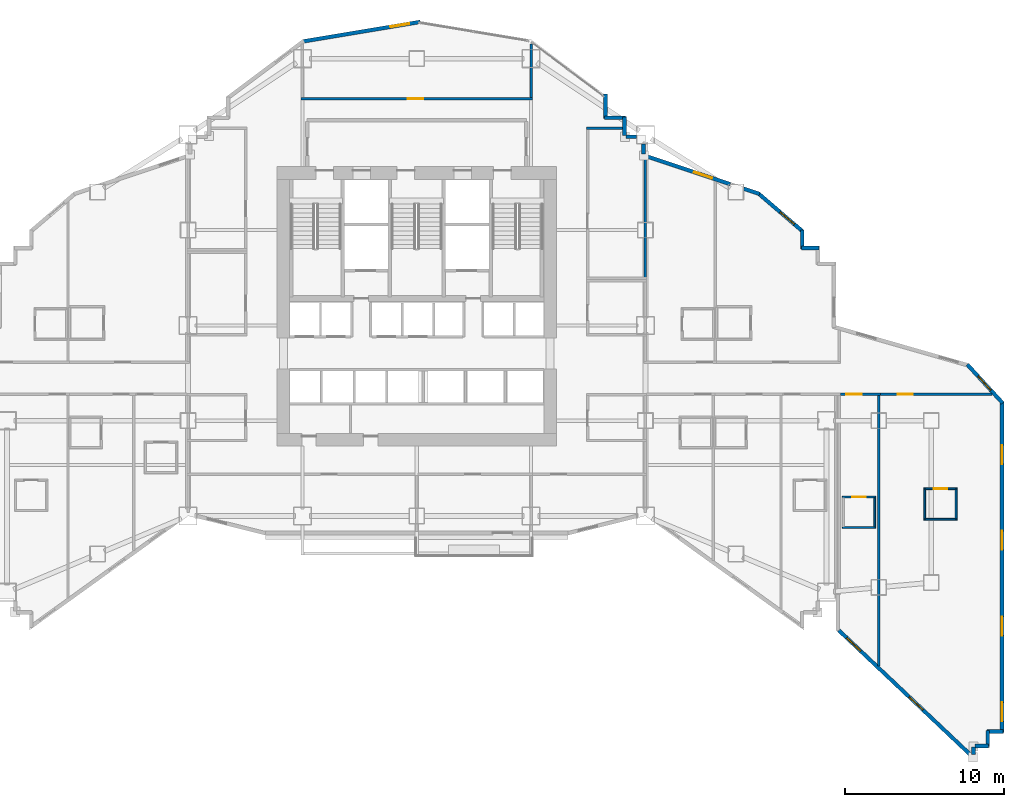
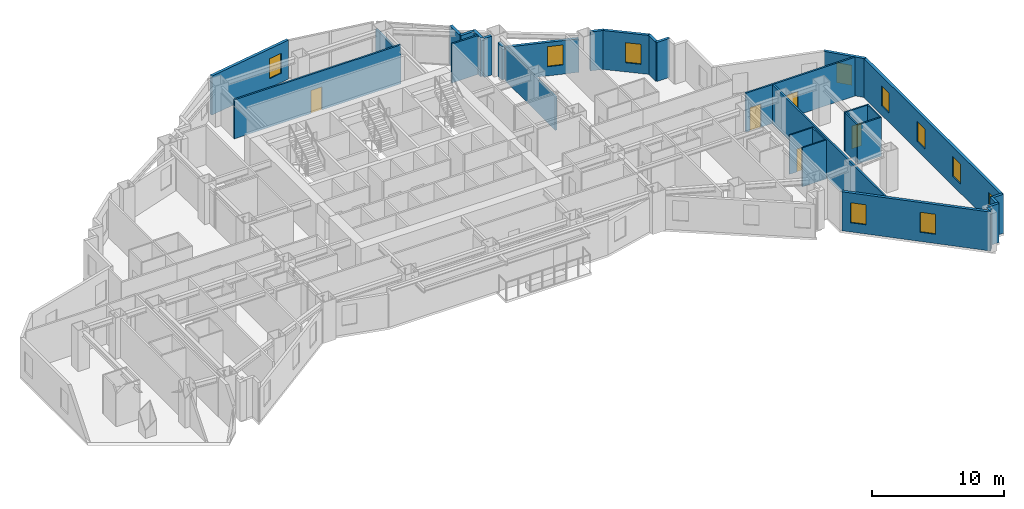
# One storey, part 11 of 17: 32 walls, 10 windows, 5 doors, 15 openings.
"""IFC4 building model written with IfcOpenShell, lengths in metres."""

from ifc_helpers import new_model, si_unit, direction, frame, frame_2d, origin, place, context, subcontext, project, spatial, rectangle, extrude, material, layer, layer_set, type_object, element, fill, save


model = new_model("IFC4")

# Units and contexts
model_context = context("Model", 3, precision=1e-05, world=origin(), true_north=direction((0.0, 1.0)))
body_context = subcontext(model_context, "Body", "Model", "MODEL_VIEW")
ifc_project = project(units=[si_unit("LENGTHUNIT", "METRE"), si_unit("AREAUNIT", "SQUARE_METRE"), si_unit("VOLUMEUNIT", "CUBIC_METRE"), si_unit("PLANEANGLEUNIT", "RADIAN"), si_unit("MASSUNIT", "GRAM", prefix="KILO")], contexts=[model_context])

# Site, building, storey
site_placement = place(None, origin())
site = spatial("IfcSite", under=ifc_project, at=site_placement, CompositionType="ELEMENT")
building_placement = place(site_placement, origin())
building = spatial("IfcBuilding", under=site, at=building_placement, Name="Haolan Belvedere Tower", CompositionType="ELEMENT")
storey_placement = place(building_placement, frame((0.0, 0.0, 59.0)))
storey = spatial("IfcBuildingStorey", under=building, at=storey_placement, Name="L14", CompositionType="ELEMENT", Elevation=59.0)

# Wall, openings, windows
ifc_material_1 = material(Name="Precast concrete C40/50", Category="concrete")
ifc_layer_1 = layer(ifc_material_1, 0.239990234375, Name="Precast concrete C40/50")
ifc_layer_set_1 = layer_set([ifc_layer_1], Name="Precast concrete C40/50")
wall_type_1 = type_object("IfcWallType", Name="WL-EXT-240", PredefinedType="SOLIDWALL", material=ifc_layer_set_1)
wall_1_placement = place(storey_placement, frame((64.97802734375, 14.396728515625, 0.0), z_axis=(0.0, 0.0, 1.0), x_axis=(0.726654877609, -0.687002684745, 0.0)))
wall_1 = element("IfcWall", 1, at=wall_1_placement, inside=storey, type_object=wall_type_1, Name="L14 pale-metal exterior spandrel wall 21.1", PredefinedType="SOLIDWALL", context=body_context, shape_type="SweptSolid", body=[
    extrude(rectangle(XDim=11.587646484375, YDim=0.239990234375, at=frame_2d((5.7939453125, 0.0))), origin(), (0.0, 0.0, 1.0), 3.60009765625),
])
opening_1_placement = place(wall_1_placement, frame((0.699951171875, 0.0, 0.85009765625)))
opening_1 = element("IfcOpeningElement", 2, at=opening_1_placement, cuts=wall_1, Name="Opening W-01", PredefinedType="OPENING", context=body_context, shape_type="SweptSolid", body=[
    extrude(rectangle(XDim=1.199951171875, YDim=1.85009765625, at=frame_2d((0.60009765625, 0.925048828125))), frame((0.0, 0.1298828125, 0.0), z_axis=(0.0, -1.0, 0.0), x_axis=(1.0, 0.0, 0.0)), (0.0, 0.0, 1.0), 0.260009765625),
])
opening_2_placement = place(wall_1_placement, frame((6.10009765625, 0.0, 0.85009765625)))
opening_2 = element("IfcOpeningElement", 3, at=opening_2_placement, cuts=wall_1, Name="Opening W-01", PredefinedType="OPENING", context=body_context, shape_type="SweptSolid", body=[
    extrude(rectangle(XDim=1.199951171875, YDim=1.85009765625, at=frame_2d((0.60009765625, 0.925048828125))), frame((0.0, 0.1298828125, 0.0), z_axis=(0.0, -1.0, 0.0), x_axis=(1.0, 0.0, 0.0)), (0.0, 0.0, 1.0), 0.260009765625),
])
ifc_material_2 = material(Name="Anodised aluminium 6063-T6 and Low-E glass", Category="aluminium")
window_type = type_object("IfcWindowType", Name="WN-DECO-Z1", PartitioningType="SINGLE_PANEL", PredefinedType="WINDOW", material=ifc_material_2)
window_1_placement = place(opening_1_placement, origin())
window_1 = element("IfcWindow", 4, at=window_1_placement, inside=storey, type_object=window_type, Name="L14 Art Deco chevron window 1", OverallHeight=1.85009765625, OverallWidth=1.199951171875, PartitioningType="SINGLE_PANEL", PredefinedType="WINDOW", context=body_context, shape_type="SweptSolid", body=[
    extrude(rectangle(XDim=1.199951171875, YDim=1.85009765625, at=frame_2d((0.60009765625, 0.925048828125))), frame((0.0, 0.030029296875, 0.0), z_axis=(0.0, -1.0, 0.0), x_axis=(1.0, 0.0, 0.0)), (0.0, 0.0, 1.0), 0.06005859375),
])
fill(opening_1, window_1)
window_2_placement = place(opening_2_placement, origin())
window_2 = element("IfcWindow", 5, at=window_2_placement, inside=storey, type_object=window_type, Name="L14 Art Deco chevron window 2", OverallHeight=1.85009765625, OverallWidth=1.199951171875, PartitioningType="SINGLE_PANEL", PredefinedType="WINDOW", context=body_context, shape_type="SweptSolid", body=[
    extrude(rectangle(XDim=1.199951171875, YDim=1.85009765625, at=frame_2d((0.60009765625, 0.925048828125))), frame((0.0, 0.030029296875, 0.0), z_axis=(0.0, -1.0, 0.0), x_axis=(1.0, 0.0, 0.0)), (0.0, 0.0, 1.0), 0.06005859375),
])
fill(opening_2, window_2)

# Walls
wall_2_placement = place(storey_placement, frame((73.4599609375, 6.58251953125, 0.0), z_axis=(0.0, 0.0, 1.0), x_axis=(0.0, 1.0, 0.0)))
element("IfcWall", 6, at=wall_2_placement, inside=storey, type_object=wall_type_1, Name="L14 pale-metal exterior spandrel wall 22.1", PredefinedType="SOLIDWALL", context=body_context, shape_type="SweptSolid", body=[
    extrude(rectangle(XDim=0.451416015625, YDim=0.239990234375, at=frame_2d((0.2255859375, 0.0))), origin(), (0.0, 0.0, 1.0), 3.60009765625),
])
wall_3_placement = place(storey_placement, frame((73.544921875, 7.118896484375, 0.0), z_axis=(0.0, 0.0, 1.0), x_axis=(1.0, 0.0, 0.0)))
element("IfcWall", 7, at=wall_3_placement, inside=storey, type_object=wall_type_1, Name="L14 pale-metal exterior spandrel wall 23.1", PredefinedType="SOLIDWALL", context=body_context, shape_type="SweptSolid", body=[
    extrude(rectangle(XDim=0.8701171875, YDim=0.239990234375, at=frame_2d((0.43505859375, 0.0))), origin(), (0.0, 0.0, 1.0), 3.60009765625),
])
for number, where, z_axis, x_axis, name in (
    (8, (74.360107421875, 7.06396484375, 0.0), (0.0, 0.0, 1.0), (0.0, 1.0, 0.0), "L14 pale-metal exterior spandrel wall 24.1"),
    (9, (74.304931640625, 8.01904296875, 0.0), (0.0, 0.0, 1.0), (1.0, 0.0, 0.0), "L14 pale-metal exterior spandrel wall 25.1"),
):
    element("IfcWall", number, at=place(storey_placement, frame(where, z_axis=z_axis, x_axis=x_axis)), inside=storey, type_object=wall_type_1, Name=name, PredefinedType="SOLIDWALL", context=body_context, shape_type="SweptSolid", body=[
        extrude(rectangle(XDim=1.010009765625, YDim=0.239990234375, at=frame_2d((0.5048828125, 0.0))), origin(), (0.0, 0.0, 1.0), 3.60009765625),
    ])

# Wall, openings, windows
wall_4_placement = place(storey_placement, frame((75.260009765625, 7.964111328125, 0.0), z_axis=(0.0, 0.0, 1.0), x_axis=(0.0, 1.0, 0.0)))
wall_4 = element("IfcWall", 10, at=wall_4_placement, inside=storey, type_object=wall_type_1, Name="L14 pale-metal exterior spandrel wall 26.1", PredefinedType="SOLIDWALL", context=body_context, shape_type="SweptSolid", body=[
    extrude(rectangle(XDim=20.84423828125, YDim=0.239990234375, at=frame_2d((10.422119140625, 0.0))), origin(), (0.0, 0.0, 1.0), 3.60009765625),
])
opening_3_placement = place(wall_4_placement, frame((0.699951171875, 0.0, 0.85009765625)))
opening_3 = element("IfcOpeningElement", 11, at=opening_3_placement, cuts=wall_4, Name="Opening W-01", PredefinedType="OPENING", context=body_context, shape_type="SweptSolid", body=[
    extrude(rectangle(XDim=1.199951171875, YDim=1.85009765625, at=frame_2d((0.60009765625, 0.925048828125))), frame((0.0, 0.1298828125, 0.0), z_axis=(0.0, -1.0, 0.0), x_axis=(1.0, 0.0, 0.0)), (0.0, 0.0, 1.0), 0.260009765625),
])
opening_4_placement = place(wall_4_placement, frame((6.10009765625, 0.0, 0.85009765625)))
opening_4 = element("IfcOpeningElement", 12, at=opening_4_placement, cuts=wall_4, Name="Opening W-01", PredefinedType="OPENING", context=body_context, shape_type="SweptSolid", body=[
    extrude(rectangle(XDim=1.199951171875, YDim=1.85009765625, at=frame_2d((0.60009765625, 0.925048828125))), frame((0.0, 0.1298828125, 0.0), z_axis=(0.0, -1.0, 0.0), x_axis=(1.0, 0.0, 0.0)), (0.0, 0.0, 1.0), 0.260009765625),
])
opening_5_placement = place(wall_4_placement, frame((11.5, 0.0, 0.85009765625)))
opening_5 = element("IfcOpeningElement", 13, at=opening_5_placement, cuts=wall_4, Name="Opening W-01", PredefinedType="OPENING", context=body_context, shape_type="SweptSolid", body=[
    extrude(rectangle(XDim=1.199951171875, YDim=1.85009765625, at=frame_2d((0.60009765625, 0.925048828125))), frame((0.0, 0.1298828125, 0.0), z_axis=(0.0, -1.0, 0.0), x_axis=(1.0, 0.0, 0.0)), (0.0, 0.0, 1.0), 0.260009765625),
])
opening_6_placement = place(wall_4_placement, frame((16.89990234375, 0.0, 0.85009765625)))
opening_6 = element("IfcOpeningElement", 14, at=opening_6_placement, cuts=wall_4, Name="Opening W-01", PredefinedType="OPENING", context=body_context, shape_type="SweptSolid", body=[
    extrude(rectangle(XDim=1.199951171875, YDim=1.85009765625, at=frame_2d((0.60009765625, 0.925048828125))), frame((0.0, 0.1298828125, 0.0), z_axis=(0.0, -1.0, 0.0), x_axis=(1.0, 0.0, 0.0)), (0.0, 0.0, 1.0), 0.260009765625),
])
window_3_placement = place(opening_3_placement, origin())
window_3 = element("IfcWindow", 15, at=window_3_placement, inside=storey, type_object=window_type, Name="L14 Art Deco chevron window 1", OverallHeight=1.85009765625, OverallWidth=1.199951171875, PartitioningType="SINGLE_PANEL", PredefinedType="WINDOW", context=body_context, shape_type="SweptSolid", body=[
    extrude(rectangle(XDim=1.199951171875, YDim=1.85009765625, at=frame_2d((0.60009765625, 0.925048828125))), frame((0.0, 0.030029296875, 0.0), z_axis=(0.0, -1.0, 0.0), x_axis=(1.0, 0.0, 0.0)), (0.0, 0.0, 1.0), 0.06005859375),
])
fill(opening_3, window_3)
window_4_placement = place(opening_4_placement, origin())
window_4 = element("IfcWindow", 16, at=window_4_placement, inside=storey, type_object=window_type, Name="L14 Art Deco chevron window 2", OverallHeight=1.85009765625, OverallWidth=1.199951171875, PartitioningType="SINGLE_PANEL", PredefinedType="WINDOW", context=body_context, shape_type="SweptSolid", body=[
    extrude(rectangle(XDim=1.199951171875, YDim=1.85009765625, at=frame_2d((0.60009765625, 0.925048828125))), frame((0.0, 0.030029296875, 0.0), z_axis=(0.0, -1.0, 0.0), x_axis=(1.0, 0.0, 0.0)), (0.0, 0.0, 1.0), 0.06005859375),
])
fill(opening_4, window_4)
window_5_placement = place(opening_5_placement, origin())
window_5 = element("IfcWindow", 17, at=window_5_placement, inside=storey, type_object=window_type, Name="L14 Art Deco chevron window 3", OverallHeight=1.85009765625, OverallWidth=1.199951171875, PartitioningType="SINGLE_PANEL", PredefinedType="WINDOW", context=body_context, shape_type="SweptSolid", body=[
    extrude(rectangle(XDim=1.199951171875, YDim=1.85009765625, at=frame_2d((0.60009765625, 0.925048828125))), frame((0.0, 0.030029296875, 0.0), z_axis=(0.0, -1.0, 0.0), x_axis=(1.0, 0.0, 0.0)), (0.0, 0.0, 1.0), 0.06005859375),
])
fill(opening_5, window_5)
window_6_placement = place(opening_6_placement, origin())
window_6 = element("IfcWindow", 18, at=window_6_placement, inside=storey, type_object=window_type, Name="L14 Art Deco chevron window 4", OverallHeight=1.85009765625, OverallWidth=1.199951171875, PartitioningType="SINGLE_PANEL", PredefinedType="WINDOW", context=body_context, shape_type="SweptSolid", body=[
    extrude(rectangle(XDim=1.199951171875, YDim=1.85009765625, at=frame_2d((0.60009765625, 0.925048828125))), frame((0.0, 0.030029296875, 0.0), z_axis=(0.0, -1.0, 0.0), x_axis=(1.0, 0.0, 0.0)), (0.0, 0.0, 1.0), 0.06005859375),
])
fill(opening_6, window_6)

# Wall, opening, window
wall_5_placement = place(storey_placement, frame((75.297119140625, 28.712890625, 0.0), z_axis=(0.0, 0.0, 1.0), x_axis=(-0.675748184691, 0.737132546349, 0.0)))
wall_5 = element("IfcWall", 19, at=wall_5_placement, inside=storey, type_object=wall_type_1, Name="L14 pale-metal exterior spandrel wall 27.1", PredefinedType="SOLIDWALL", context=body_context, shape_type="SweptSolid", body=[
    extrude(rectangle(XDim=3.28515625, YDim=0.239990234375, at=frame_2d((1.642578125, 0.0))), origin(), (0.0, 0.0, 1.0), 3.60009765625),
])
opening_7_placement = place(wall_5_placement, frame((1.087158203125, 0.0, 0.85009765625)))
opening_7 = element("IfcOpeningElement", 20, at=opening_7_placement, cuts=wall_5, Name="Opening W-01", PredefinedType="OPENING", context=body_context, shape_type="SweptSolid", body=[
    extrude(rectangle(XDim=1.199951171875, YDim=1.85009765625, at=frame_2d((0.60009765625, 0.925048828125))), frame((0.0, 0.1298828125, 0.0), z_axis=(0.0, -1.0, 0.0), x_axis=(1.0, 0.0, 0.0)), (0.0, 0.0, 1.0), 0.260009765625),
])
window_7_placement = place(opening_7_placement, origin())
window_7 = element("IfcWindow", 21, at=window_7_placement, inside=storey, type_object=window_type, Name="L14 Art Deco chevron window 1", OverallHeight=1.85009765625, OverallWidth=1.199951171875, PartitioningType="SINGLE_PANEL", PredefinedType="WINDOW", context=body_context, shape_type="SweptSolid", body=[
    extrude(rectangle(XDim=1.199951171875, YDim=1.85009765625, at=frame_2d((0.60009765625, 0.925048828125))), frame((0.0, 0.030029296875, 0.0), z_axis=(0.0, -1.0, 0.0), x_axis=(1.0, 0.0, 0.0)), (0.0, 0.0, 1.0), 0.06005859375),
])
fill(opening_7, window_7)

# Walls
wall_6_placement = place(storey_placement, frame((63.735107421875, 38.47998046875, 0.0), z_axis=(0.0, 0.0, 1.0), x_axis=(-1.0, 0.0, 0.0)))
element("IfcWall", 22, at=wall_6_placement, inside=storey, type_object=wall_type_1, Name="L14 pale-metal exterior spandrel wall 32.1", PredefinedType="SOLIDWALL", context=body_context, shape_type="SweptSolid", body=[
    extrude(rectangle(XDim=1.110107421875, YDim=0.239990234375, at=frame_2d((0.55517578125, 0.0))), origin(), (0.0, 0.0, 1.0), 3.60009765625),
])
wall_7_placement = place(storey_placement, frame((62.679931640625, 38.425048828125, 0.0), z_axis=(0.0, 0.0, 1.0), x_axis=(0.0, 1.0, 0.0)))
element("IfcWall", 23, at=wall_7_placement, inside=storey, type_object=wall_type_1, Name="L14 pale-metal exterior spandrel wall 33.1", PredefinedType="SOLIDWALL", context=body_context, shape_type="SweptSolid", body=[
    extrude(rectangle(XDim=1.1748046875, YDim=0.239990234375, at=frame_2d((0.58740234375, 0.0))), origin(), (0.0, 0.0, 1.0), 3.60009765625),
])

# Wall, opening, window
wall_8_placement = place(storey_placement, frame((62.7216796875, 39.509033203125, 0.0), z_axis=(0.0, 0.0, 1.0), x_axis=(-0.759247334792, 0.650802185469, 0.0)))
wall_8 = element("IfcWall", 24, at=wall_8_placement, inside=storey, type_object=wall_type_1, Name="L14 pale-metal exterior spandrel wall 34.1", PredefinedType="SOLIDWALL", context=body_context, shape_type="SweptSolid", body=[
    extrude(rectangle(XDim=3.71923828125, YDim=0.239990234375, at=frame_2d((1.859619140625, 0.0))), origin(), (0.0, 0.0, 1.0), 3.60009765625),
])
opening_8_placement = place(wall_8_placement, frame((0.699951171875, 0.0, 0.85009765625)))
opening_8 = element("IfcOpeningElement", 25, at=opening_8_placement, cuts=wall_8, Name="Opening W-01", PredefinedType="OPENING", context=body_context, shape_type="SweptSolid", body=[
    extrude(rectangle(XDim=1.199951171875, YDim=1.85009765625, at=frame_2d((0.60009765625, 0.925048828125))), frame((0.0, 0.1298828125, 0.0), z_axis=(0.0, -1.0, 0.0), x_axis=(1.0, 0.0, 0.0)), (0.0, 0.0, 1.0), 0.260009765625),
])
window_8_placement = place(opening_8_placement, origin())
window_8 = element("IfcWindow", 26, at=window_8_placement, inside=storey, type_object=window_type, Name="L14 Art Deco chevron window 1", OverallHeight=1.85009765625, OverallWidth=1.199951171875, PartitioningType="SINGLE_PANEL", PredefinedType="WINDOW", context=body_context, shape_type="SweptSolid", body=[
    extrude(rectangle(XDim=1.199951171875, YDim=1.85009765625, at=frame_2d((0.60009765625, 0.925048828125))), frame((0.0, 0.030029296875, 0.0), z_axis=(0.0, -1.0, 0.0), x_axis=(1.0, 0.0, 0.0)), (0.0, 0.0, 1.0), 0.06005859375),
])
fill(opening_8, window_8)

# Wall
wall_9_placement = place(storey_placement, frame((59.991943359375, 41.876220703125, 0.0), z_axis=(0.0, 0.0, 1.0), x_axis=(-0.948706457285, 0.316158279832, 0.0)))
element("IfcWall", 27, at=wall_9_placement, inside=storey, type_object=wall_type_1, Name="L14 pale-metal exterior spandrel wall 35.1", PredefinedType="SOLIDWALL", context=body_context, shape_type="SweptSolid", body=[
    extrude(rectangle(XDim=1.053955078125, YDim=0.239990234375, at=frame_2d((0.52685546875, 0.0))), origin(), (0.0, 0.0, 1.0), 3.60009765625),
])

# Wall, opening, window
wall_10_placement = place(storey_placement, frame((58.14453125, 42.491943359375, 0.0), z_axis=(0.0, 0.0, 1.0), x_axis=(-0.948683298051, 0.316227766017, 0.0)))
wall_10 = element("IfcWall", 28, at=wall_10_placement, inside=storey, type_object=wall_type_1, Name="L14 pale-metal exterior spandrel wall 35.2", PredefinedType="SOLIDWALL", context=body_context, shape_type="SweptSolid", body=[
    extrude(rectangle(XDim=5.67529296875, YDim=0.239990234375, at=frame_2d((2.837646484375, 0.0))), origin(), (0.0, 0.0, 1.0), 3.096923828125),
])
opening_9_placement = place(wall_10_placement, frame((1.206298828125, 0.0, 0.85009765625)))
opening_9 = element("IfcOpeningElement", 29, at=opening_9_placement, cuts=wall_10, Name="Opening W-01", PredefinedType="OPENING", context=body_context, shape_type="SweptSolid", body=[
    extrude(rectangle(XDim=1.199951171875, YDim=1.85009765625, at=frame_2d((0.60009765625, 0.925048828125))), frame((0.0, 0.1298828125, 0.0), z_axis=(0.0, -1.0, 0.0), x_axis=(1.0, 0.0, 0.0)), (0.0, 0.0, 1.0), 0.260009765625),
])
window_9_placement = place(opening_9_placement, origin())
window_9 = element("IfcWindow", 30, at=window_9_placement, inside=storey, type_object=window_type, Name="L14 Art Deco chevron window 1", OverallHeight=1.85009765625, OverallWidth=1.199951171875, PartitioningType="SINGLE_PANEL", PredefinedType="WINDOW", context=body_context, shape_type="SweptSolid", body=[
    extrude(rectangle(XDim=1.199951171875, YDim=1.85009765625, at=frame_2d((0.60009765625, 0.925048828125))), frame((0.0, 0.030029296875, 0.0), z_axis=(0.0, -1.0, 0.0), x_axis=(1.0, 0.0, 0.0)), (0.0, 0.0, 1.0), 0.06005859375),
])
fill(opening_9, window_9)

# Walls
wall_11_placement = place(storey_placement, frame((52.679931640625, 44.3984375, 0.0), z_axis=(0.0, 0.0, 1.0), x_axis=(0.0, 1.0, 0.0)))
element("IfcWall", 31, at=wall_11_placement, inside=storey, type_object=wall_type_1, Name="L14 pale-metal exterior spandrel wall 36.1", PredefinedType="SOLIDWALL", context=body_context, shape_type="SweptSolid", body=[
    extrude(rectangle(XDim=0.634521484375, YDim=0.239990234375, at=frame_2d((0.3173828125, 0.0))), origin(), (0.0, 0.0, 1.0), 3.096923828125),
])
wall_12_placement = place(storey_placement, frame((52.23291015625, 45.47998046875, 0.0), z_axis=(0.0, 0.0, 1.0), x_axis=(-1.0, 0.0, 0.0)))
element("IfcWall", 32, at=wall_12_placement, inside=storey, type_object=wall_type_1, Name="L14 pale-metal exterior spandrel wall 37.1", PredefinedType="SOLIDWALL", context=body_context, shape_type="SweptSolid", body=[
    extrude(rectangle(XDim=0.66796875, YDim=0.239990234375, at=frame_2d((0.333984375, 0.0))), origin(), (0.0, 0.0, 1.0), 3.60009765625),
])
wall_13_placement = place(storey_placement, frame((51.47998046875, 45.56494140625, 0.0), z_axis=(0.0, 0.0, 1.0), x_axis=(0.0, 1.0, 0.0)))
element("IfcWall", 33, at=wall_13_placement, inside=storey, type_object=wall_type_1, Name="L14 pale-metal exterior spandrel wall 38.1", PredefinedType="SOLIDWALL", context=body_context, shape_type="SweptSolid", body=[
    extrude(rectangle(XDim=1.170166015625, YDim=0.239990234375, at=frame_2d((0.5849609375, 0.0))), origin(), (0.0, 0.0, 1.0), 3.60009765625),
])
wall_14_placement = place(storey_placement, frame((51.534912109375, 46.679931640625, 0.0), z_axis=(0.0, 0.0, 1.0), x_axis=(-1.0, 0.0, 0.0)))
element("IfcWall", 34, at=wall_14_placement, inside=storey, type_object=wall_type_1, Name="L14 pale-metal exterior spandrel wall 39.1", PredefinedType="SOLIDWALL", context=body_context, shape_type="SweptSolid", body=[
    extrude(rectangle(XDim=1.309814453125, YDim=0.239990234375, at=frame_2d((0.65478515625, 0.0))), origin(), (0.0, 0.0, 1.0), 3.60009765625),
])
wall_15_placement = place(storey_placement, frame((50.280029296875, 46.625, 0.0), z_axis=(0.0, 0.0, 1.0), x_axis=(0.0, 1.0, 0.0)))
element("IfcWall", 35, at=wall_15_placement, inside=storey, type_object=wall_type_1, Name="L14 pale-metal exterior spandrel wall 40.1", PredefinedType="SOLIDWALL", context=body_context, shape_type="SweptSolid", body=[
    extrude(rectangle(XDim=1.5400390625, YDim=0.239990234375, at=frame_2d((0.77001953125, 0.0))), origin(), (0.0, 0.0, 1.0), 3.60009765625),
])

# Wall, opening, window
wall_16_placement = place(storey_placement, frame((38.621826171875, 52.71533203125, 0.0), z_axis=(0.0, 0.0, 1.0), x_axis=(-0.98639129485, -0.164414760418, 0.0)))
wall_16 = element("IfcWall", 36, at=wall_16_placement, inside=storey, type_object=wall_type_1, Name="L14 pale-metal exterior spandrel wall 43.1", PredefinedType="SOLIDWALL", context=body_context, shape_type="SweptSolid", body=[
    extrude(rectangle(XDim=7.530029296875, YDim=0.239990234375, at=frame_2d((3.76513671875, 0.0))), origin(), (0.0, 0.0, 1.0), 3.60009765625),
])
opening_10_placement = place(wall_16_placement, frame((0.699951171875, 0.0, 0.85009765625)))
opening_10 = element("IfcOpeningElement", 37, at=opening_10_placement, cuts=wall_16, Name="Opening W-01", PredefinedType="OPENING", context=body_context, shape_type="SweptSolid", body=[
    extrude(rectangle(XDim=1.199951171875, YDim=1.85009765625, at=frame_2d((0.60009765625, 0.925048828125))), frame((0.0, 0.1298828125, 0.0), z_axis=(0.0, -1.0, 0.0), x_axis=(1.0, 0.0, 0.0)), (0.0, 0.0, 1.0), 0.260009765625),
])
window_10_placement = place(opening_10_placement, origin())
window_10 = element("IfcWindow", 38, at=window_10_placement, inside=storey, type_object=window_type, Name="L14 Art Deco chevron window 1", OverallHeight=1.85009765625, OverallWidth=1.199951171875, PartitioningType="SINGLE_PANEL", PredefinedType="WINDOW", context=body_context, shape_type="SweptSolid", body=[
    extrude(rectangle(XDim=1.199951171875, YDim=1.85009765625, at=frame_2d((0.60009765625, 0.925048828125))), frame((0.0, 0.030029296875, 0.0), z_axis=(0.0, -1.0, 0.0), x_axis=(1.0, 0.0, 0.0)), (0.0, 0.0, 1.0), 0.06005859375),
])
fill(opening_10, window_10)

# Walls
ifc_material_3 = material(Name="Double gypsum acoustic stud partition", Category="masonry")
ifc_layer_2 = layer(ifc_material_3, 0.14990234375, Name="Double gypsum acoustic stud partition")
ifc_layer_set_2 = layer_set([ifc_layer_2], Name="Double gypsum acoustic stud partition")
wall_type_2 = type_object("IfcWallType", Name="WL-PART-150", PredefinedType="PARTITIONING", material=ifc_layer_set_2)
wall_17_placement = place(storey_placement, frame((49.080078125, 46.02001953125, 0.0), z_axis=(0.0, 0.0, 1.0), x_axis=(1.0, 0.0, 0.0)))
element("IfcWall", 39, at=wall_17_placement, inside=storey, type_object=wall_type_2, Name="L14 interior partition IW-L14-SAL-N", PredefinedType="PARTITIONING", context=body_context, shape_type="SweptSolid", body=[
    extrude(rectangle(XDim=2.294921875, YDim=0.14990234375, at=frame_2d((1.1474609375, 0.0))), origin(), (0.0, 0.0, 1.0), 3.60009765625),
])
wall_18_placement = place(storey_placement, frame((52.800048828125, 36.6201171875, 0.0), z_axis=(0.0, 0.0, 1.0), x_axis=(0.0, 1.0, 0.0)))
element("IfcWall", 40, at=wall_18_placement, inside=storey, type_object=wall_type_2, Name="L14 interior partition IW-L14-SAL-E", PredefinedType="PARTITIONING", context=body_context, shape_type="SweptSolid", body=[
    extrude(rectangle(XDim=7.542724609375, YDim=0.14990234375, at=frame_2d((3.771484375, 0.0))), origin(), (0.0, 0.0, 1.0), 3.096923828125),
])

# Wall, opening, door
wall_19_placement = place(storey_placement, frame((31.1201171875, 47.8798828125, 0.0), z_axis=(0.0, 0.0, 1.0), x_axis=(1.0, 0.0, 0.0)))
wall_19 = element("IfcWall", 41, at=wall_19_placement, inside=storey, type_object=wall_type_2, Name="L14 interior partition IW-L14-KN2-S", PredefinedType="PARTITIONING", context=body_context, shape_type="SweptSolid", body=[
    extrude(rectangle(XDim=14.559814453125, YDim=0.14990234375, at=frame_2d((7.27978515625, 0.0))), origin(), (0.0, 0.0, 1.0), 3.60009765625),
])
opening_11_placement = place(wall_19_placement, frame((6.72509765625, 0.0, 0.0)))
opening_11 = element("IfcOpeningElement", 42, at=opening_11_placement, cuts=wall_19, Name="Opening ID-03", PredefinedType="OPENING", context=body_context, shape_type="SweptSolid", body=[
    extrude(rectangle(XDim=0.949951171875, YDim=2.1201171875, at=frame_2d((0.47509765625, 1.06005859375))), frame((0.0, 0.0849609375, 0.0), z_axis=(0.0, -1.0, 0.0), x_axis=(1.0, 0.0, 0.0)), (0.0, 0.0, 1.0), 0.169921875),
])
ifc_material_4 = material(Name="Painted solid-core timber", Category="wood")
door_type_1 = type_object("IfcDoorType", Name="DR-INT-950", OperationType="NOTDEFINED", PredefinedType="DOOR", material=ifc_material_4)
door_1_placement = place(opening_11_placement, origin())
door_1 = element("IfcDoor", 43, at=door_1_placement, inside=storey, type_object=door_type_1, Name="L14 door ID-L14-KN2", OperationType="SINGLE_SWING_RIGHT", OverallHeight=2.1201171875, OverallWidth=0.949951171875, PredefinedType="DOOR", context=body_context, shape_type="SweptSolid", body=[
    extrude(rectangle(XDim=0.949951171875, YDim=2.1201171875, at=frame_2d((0.47509765625, 1.06005859375))), frame((0.0, 0.02490234375, 0.0), z_axis=(0.0, -1.0, 0.0), x_axis=(1.0, 0.0, 0.0)), (0.0, 0.0, 1.0), 0.050048828125),
])
fill(opening_11, door_1)

# Wall
wall_20_placement = place(storey_placement, frame((45.60009765625, 47.93994140625, 0.0), z_axis=(0.0, 0.0, 1.0), x_axis=(0.0, 1.0, 0.0)))
element("IfcWall", 44, at=wall_20_placement, inside=storey, type_object=wall_type_2, Name="L14 interior partition IW-L14-KN2-E", PredefinedType="PARTITIONING", context=body_context, shape_type="SweptSolid", body=[
    extrude(rectangle(XDim=3.39501953125, YDim=0.14990234375, at=frame_2d((1.697509765625, 0.0))), origin(), (0.0, 0.0, 1.0), 2.985107421875),
])

# Wall, opening, door
wall_21_placement = place(storey_placement, frame((65.10205078125, 29.27001953125, 0.0), z_axis=(0.0, 0.0, 1.0), x_axis=(1.0, 0.0, 0.0)))
wall_21 = element("IfcWall", 45, at=wall_21_placement, inside=storey, type_object=wall_type_2, Name="L14 interior partition IW-L14-T5S1-N", PredefinedType="PARTITIONING", context=body_context, shape_type="SweptSolid", body=[
    extrude(rectangle(XDim=2.498046875, YDim=0.14990234375, at=frame_2d((1.2490234375, 0.0))), origin(), (0.0, 0.0, 1.0), 3.60009765625),
])
opening_12_placement = place(wall_21_placement, frame((1.311767578125, 0.0, 0.0), z_axis=(0.0, 0.0, 1.0), x_axis=(-1.0, 0.0, 0.0)))
opening_12 = element("IfcOpeningElement", 46, at=opening_12_placement, cuts=wall_21, Name="Opening ID-02", PredefinedType="OPENING", context=body_context, shape_type="SweptSolid", body=[
    extrude(rectangle(XDim=0.949951171875, YDim=2.14990234375, at=frame_2d((0.47509765625, 1.074951171875))), frame((0.0, 0.0849609375, 0.0), z_axis=(0.0, -1.0, 0.0), x_axis=(1.0, 0.0, 0.0)), (0.0, 0.0, 1.0), 0.169921875),
])
ifc_material_5 = material(Name="Acoustic oak veneer fire-rated timber", Category="wood")
door_type_2 = type_object("IfcDoorType", Name="DR-GUEST-950", OperationType="NOTDEFINED", PredefinedType="DOOR", material=ifc_material_5)
door_2_placement = place(opening_12_placement, origin())
door_2 = element("IfcDoor", 47, at=door_2_placement, inside=storey, type_object=door_type_2, Name="L14 door ID-L14-T5S1-ENT", OperationType="SINGLE_SWING_LEFT", OverallHeight=2.14990234375, OverallWidth=0.949951171875, PredefinedType="DOOR", context=body_context, shape_type="SweptSolid", body=[
    extrude(rectangle(XDim=0.949951171875, YDim=2.14990234375, at=frame_2d((0.47509765625, 1.074951171875))), frame((0.0, 0.02490234375, 0.0), z_axis=(0.0, -1.0, 0.0), x_axis=(1.0, 0.0, 0.0)), (0.0, 0.0, 1.0), 0.050048828125),
])
fill(opening_12, door_2)

# Wall
wall_22_placement = place(storey_placement, frame((67.5, 12.156982421875, 0.0), z_axis=(0.0, 0.0, 1.0), x_axis=(0.0, 1.0, 0.0)))
element("IfcWall", 48, at=wall_22_placement, inside=storey, type_object=wall_type_2, Name="L14 interior partition IW-L14-T5S1-E", PredefinedType="PARTITIONING", context=body_context, shape_type="SweptSolid", body=[
    extrude(rectangle(XDim=17.052978515625, YDim=0.14990234375, at=frame_2d((8.5263671875, 0.0))), origin(), (0.0, 0.0, 1.0), 3.60009765625),
])

# Wall, opening, door
wall_23_placement = place(storey_placement, frame((67.60205078125, 29.27001953125, 0.0), z_axis=(0.0, 0.0, 1.0), x_axis=(1.0, 0.0, 0.0)))
wall_23 = element("IfcWall", 49, at=wall_23_placement, inside=storey, type_object=wall_type_2, Name="L14 interior partition IW-L14-T5S2-N", PredefinedType="PARTITIONING", context=body_context, shape_type="SweptSolid", body=[
    extrude(rectangle(XDim=7.0419921875, YDim=0.14990234375, at=frame_2d((3.52099609375, 0.0))), origin(), (0.0, 0.0, 1.0), 3.60009765625),
])
opening_13_placement = place(wall_23_placement, frame((2.04443359375, 0.0, 0.0), z_axis=(0.0, 0.0, 1.0), x_axis=(-1.0, 0.0, 0.0)))
opening_13 = element("IfcOpeningElement", 50, at=opening_13_placement, cuts=wall_23, Name="Opening ID-01", PredefinedType="OPENING", context=body_context, shape_type="SweptSolid", body=[
    extrude(rectangle(XDim=0.949951171875, YDim=2.179931640625, at=frame_2d((0.47509765625, 1.08984375))), frame((0.0, 0.0849609375, 0.0), z_axis=(0.0, -1.0, 0.0), x_axis=(1.0, 0.0, 0.0)), (0.0, 0.0, 1.0), 0.169921875),
])
ifc_material_6 = material(Name="Acoustic walnut veneer fire-rated timber", Category="wood")
door_type_3 = type_object("IfcDoorType", Name="DR-SUITE-950", OperationType="NOTDEFINED", PredefinedType="DOOR", material=ifc_material_6)
door_3_placement = place(opening_13_placement, origin())
door_3 = element("IfcDoor", 51, at=door_3_placement, inside=storey, type_object=door_type_3, Name="L14 door ID-L14-T5S2-ENT", OperationType="SINGLE_SWING_RIGHT", OverallHeight=2.179931640625, OverallWidth=0.949951171875, PredefinedType="DOOR", context=body_context, shape_type="SweptSolid", body=[
    extrude(rectangle(XDim=0.949951171875, YDim=2.179931640625, at=frame_2d((0.47509765625, 1.08984375))), frame((0.0, 0.02490234375, 0.0), z_axis=(0.0, -1.0, 0.0), x_axis=(1.0, 0.0, 0.0)), (0.0, 0.0, 1.0), 0.050048828125),
])
fill(opening_13, door_3)

ifc_material_7 = material(Name="Moisture-resistant gypsum tile partition", Category="masonry")
ifc_layer_3 = layer(ifc_material_7, 0.1201171875, Name="Moisture-resistant gypsum tile partition")
ifc_layer_set_3 = layer_set([ifc_layer_3], Name="Moisture-resistant gypsum tile partition")
wall_type_3 = type_object("IfcWallType", Name="WL-WET-120", PredefinedType="PARTITIONING", material=ifc_layer_set_3)
wall_24_placement = place(storey_placement, frame((65.20703125, 22.7900390625, 0.0), z_axis=(0.0, 0.0, 1.0), x_axis=(1.0, 0.0, 0.0)))
wall_24 = element("IfcWall", 52, at=wall_24_placement, inside=storey, type_object=wall_type_3, Name="L14 interior partition IW-L14-T5S1-BN", PredefinedType="PARTITIONING", context=body_context, shape_type="SweptSolid", body=[
    extrude(rectangle(XDim=2.099853515625, YDim=0.1201171875, at=frame_2d((1.0498046875, 0.0))), origin(), (0.0, 0.0, 1.0), 3.60009765625),
])
opening_14_placement = place(wall_24_placement, frame((1.47509765625, 0.0, 0.0), z_axis=(0.0, 0.0, 1.0), x_axis=(-1.0, 0.0, 0.0)))
opening_14 = element("IfcOpeningElement", 53, at=opening_14_placement, cuts=wall_24, Name="Opening ID-05", PredefinedType="OPENING", context=body_context, shape_type="SweptSolid", body=[
    extrude(rectangle(XDim=0.85009765625, YDim=2.10009765625, at=frame_2d((0.425048828125, 1.050048828125))), frame((0.0, 0.070068359375, 0.0), z_axis=(0.0, -1.0, 0.0), x_axis=(1.0, 0.0, 0.0)), (0.0, 0.0, 1.0), 0.14013671875),
])
ifc_material_8 = material(Name="Moisture-resistant lacquered timber", Category="wood")
door_type_4 = type_object("IfcDoorType", Name="DR-BATH-850", OperationType="NOTDEFINED", PredefinedType="DOOR", material=ifc_material_8)
door_4_placement = place(opening_14_placement, origin())
door_4 = element("IfcDoor", 54, at=door_4_placement, inside=storey, type_object=door_type_4, Name="L14 door ID-L14-T5S1-BATH", OperationType="SINGLE_SWING_RIGHT", OverallHeight=2.10009765625, OverallWidth=0.85009765625, PredefinedType="DOOR", context=body_context, shape_type="SweptSolid", body=[
    extrude(rectangle(XDim=0.85009765625, YDim=2.10009765625, at=frame_2d((0.425048828125, 1.050048828125))), frame((0.0, 0.02490234375, 0.0), z_axis=(0.0, -1.0, 0.0), x_axis=(1.0, 0.0, 0.0)), (0.0, 0.0, 1.0), 0.050048828125),
])
fill(opening_14, door_4)

# Walls
wall_25_placement = place(storey_placement, frame((65.20703125, 20.8701171875, 0.0), z_axis=(0.0, 0.0, 1.0), x_axis=(1.0, 0.0, 0.0)))
element("IfcWall", 55, at=wall_25_placement, inside=storey, type_object=wall_type_3, Name="L14 interior partition IW-L14-T5S1-BS", PredefinedType="PARTITIONING", context=body_context, shape_type="SweptSolid", body=[
    extrude(rectangle(XDim=2.099853515625, YDim=0.1201171875, at=frame_2d((1.0498046875, 0.0))), origin(), (0.0, 0.0, 1.0), 3.60009765625),
])
wall_26_placement = place(storey_placement, frame((67.2470703125, 20.9150390625, 0.0), z_axis=(0.0, 0.0, 1.0), x_axis=(0.0, 1.0, 0.0)))
element("IfcWall", 56, at=wall_26_placement, inside=storey, type_object=wall_type_3, Name="L14 interior partition IW-L14-T5S1-BE", PredefinedType="PARTITIONING", context=body_context, shape_type="SweptSolid", body=[
    extrude(rectangle(XDim=1.830078125, YDim=0.1201171875, at=frame_2d((0.9150390625, 0.0))), origin(), (0.0, 0.0, 1.0), 3.60009765625),
])

# Wall, opening, door
wall_27_placement = place(storey_placement, frame((70.33203125, 23.31005859375, 0.0), z_axis=(0.0, 0.0, 1.0), x_axis=(1.0, 0.0, 0.0)))
wall_27 = element("IfcWall", 57, at=wall_27_placement, inside=storey, type_object=wall_type_3, Name="L14 interior partition IW-L14-T5S2-BN", PredefinedType="PARTITIONING", context=body_context, shape_type="SweptSolid", body=[
    extrude(rectangle(XDim=2.099853515625, YDim=0.1201171875, at=frame_2d((1.0498046875, 0.0))), origin(), (0.0, 0.0, 1.0), 3.60009765625),
])
opening_15_placement = place(wall_27_placement, frame((1.47509765625, 0.0, 0.0), z_axis=(0.0, 0.0, 1.0), x_axis=(-1.0, 0.0, 0.0)))
opening_15 = element("IfcOpeningElement", 58, at=opening_15_placement, cuts=wall_27, Name="Opening ID-05", PredefinedType="OPENING", context=body_context, shape_type="SweptSolid", body=[
    extrude(rectangle(XDim=0.85009765625, YDim=2.10009765625, at=frame_2d((0.425048828125, 1.050048828125))), frame((0.0, 0.070068359375, 0.0), z_axis=(0.0, -1.0, 0.0), x_axis=(1.0, 0.0, 0.0)), (0.0, 0.0, 1.0), 0.14013671875),
])
door_5_placement = place(opening_15_placement, origin())
door_5 = element("IfcDoor", 59, at=door_5_placement, inside=storey, type_object=door_type_4, Name="L14 door ID-L14-T5S2-BATH", OperationType="SINGLE_SWING_LEFT", OverallHeight=2.10009765625, OverallWidth=0.85009765625, PredefinedType="DOOR", context=body_context, shape_type="SweptSolid", body=[
    extrude(rectangle(XDim=0.85009765625, YDim=2.10009765625, at=frame_2d((0.425048828125, 1.050048828125))), frame((0.0, 0.02490234375, 0.0), z_axis=(0.0, -1.0, 0.0), x_axis=(1.0, 0.0, 0.0)), (0.0, 0.0, 1.0), 0.050048828125),
])
fill(opening_15, door_5)

# Walls
wall_28_placement = place(storey_placement, frame((70.33203125, 21.389892578125, 0.0), z_axis=(0.0, 0.0, 1.0), x_axis=(1.0, 0.0, 0.0)))
element("IfcWall", 60, at=wall_28_placement, inside=storey, type_object=wall_type_3, Name="L14 interior partition IW-L14-T5S2-BS", PredefinedType="PARTITIONING", context=body_context, shape_type="SweptSolid", body=[
    extrude(rectangle(XDim=2.099853515625, YDim=0.1201171875, at=frame_2d((1.0498046875, 0.0))), origin(), (0.0, 0.0, 1.0), 3.60009765625),
])
for number, where, z_axis, x_axis, name in (
    (61, (70.39208984375, 21.43505859375, 0.0), (0.0, 0.0, 1.0), (0.0, 1.0, 0.0), "L14 interior partition IW-L14-T5S2-BW"),
    (62, (72.3720703125, 21.43505859375, 0.0), (0.0, 0.0, 1.0), (0.0, 1.0, 0.0), "L14 interior partition IW-L14-T5S2-BE"),
):
    element("IfcWall", number, at=place(storey_placement, frame(where, z_axis=z_axis, x_axis=x_axis)), inside=storey, type_object=wall_type_3, Name=name, PredefinedType="PARTITIONING", context=body_context, shape_type="SweptSolid", body=[
        extrude(rectangle(XDim=1.829833984375, YDim=0.1201171875, at=frame_2d((0.9150390625, 0.0))), origin(), (0.0, 0.0, 1.0), 3.60009765625),
    ])

save(model, "model.ifc")
